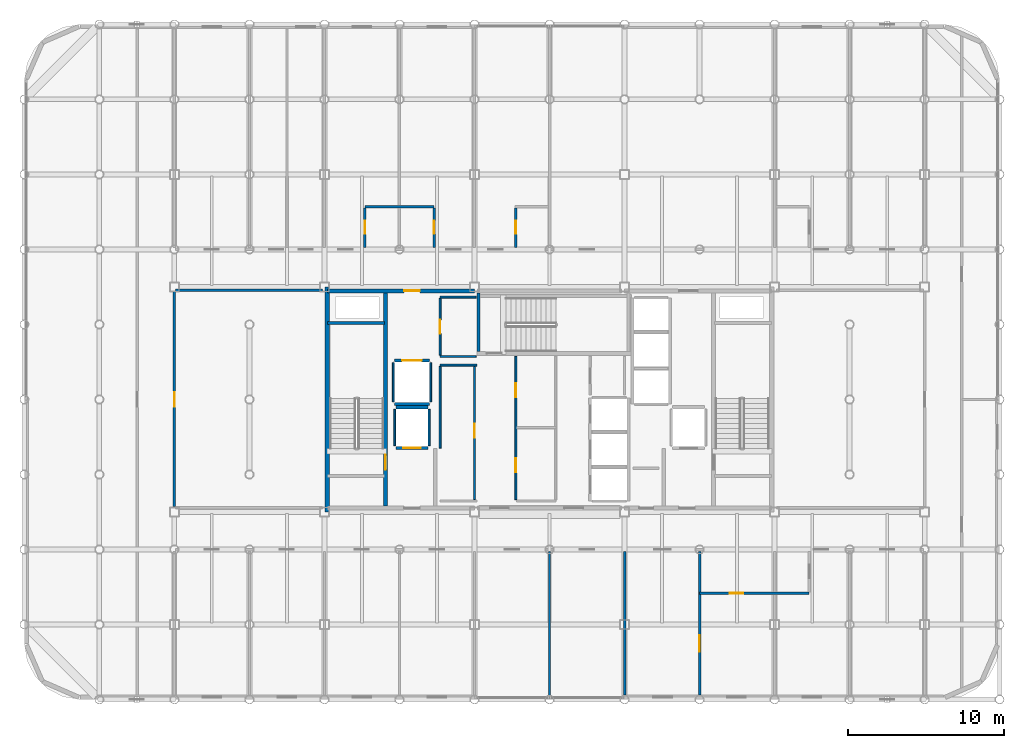
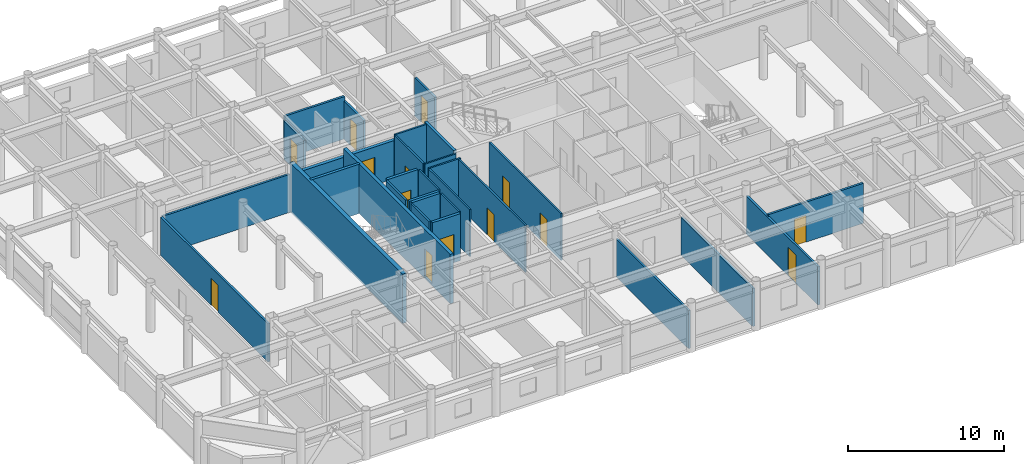
# One storey, part 18 of 22: 30 walls, 14 doors, 14 openings.
"""IFC4 building model written with IfcOpenShell, lengths in metres."""

from ifc_helpers import new_model, si_unit, direction, frame, frame_2d, origin, place, context, subcontext, project, spatial, rectangle, extrude, material, layer, layer_set, type_object, element, fill, save


model = new_model("IFC4")

# Units and contexts
model_context = context("Model", 3, precision=1e-05, world=origin(), true_north=direction((0.0, 1.0)))
body_context = subcontext(model_context, "Body", "Model", "MODEL_VIEW")
ifc_project = project(units=[si_unit("LENGTHUNIT", "METRE"), si_unit("AREAUNIT", "SQUARE_METRE"), si_unit("VOLUMEUNIT", "CUBIC_METRE"), si_unit("PLANEANGLEUNIT", "RADIAN"), si_unit("MASSUNIT", "GRAM", prefix="KILO")], contexts=[model_context])

# Site, building, storey
site_placement = place(None, origin())
site = spatial("IfcSite", under=ifc_project, at=site_placement, CompositionType="ELEMENT")
building_placement = place(site_placement, origin())
building = spatial("IfcBuilding", under=site, at=building_placement, Name="Kallvorn Hotel Tower", CompositionType="ELEMENT")
storey_placement = place(building_placement, frame((0.0, 0.0, 256.949951171875)))
storey = spatial("IfcBuildingStorey", under=building, at=storey_placement, Name="L64", CompositionType="ELEMENT", Elevation=256.949951171875)

# Wall
ifc_material_1 = material(Name="Concrete C50/60", Category="concrete")
ifc_layer_1 = layer(ifc_material_1, 0.300048828125)
ifc_layer_set_1 = layer_set([ifc_layer_1], Name="WL_CORE_300")
wall_type_1 = type_object("IfcWallType", Name="WL_CORE_300", PredefinedType="SHEAR", material=ifc_layer_set_1)
wall_1_placement = place(storey_placement, frame((-14.215087890625, -7.199951171875, -0.179931640625), z_axis=(0.0, 0.0, 1.0), x_axis=(0.0, 1.0, 0.0)))
element("IfcWall", 1, at=wall_1_placement, inside=storey, type_object=wall_type_1, Name="L64 Core West Shear Wall", PredefinedType="SHEAR", context=body_context, shape_type="SweptSolid", body=[
    extrude(rectangle(XDim=14.39990234375, YDim=0.300048828125, at=frame_2d((7.199951171875, 0.0))), origin(), (0.0, 0.0, 1.0), 3.85009765625),
])

# Wall, opening, door
ifc_material_2 = material(Name="Fire-rated double-layer acoustic gypsum drywall EI 60")
ifc_layer_2 = layer(ifc_material_2, 0.159912109375)
ifc_layer_set_2 = layer_set([ifc_layer_2], Name="WL_DEMISE_160")
wall_type_2 = type_object("IfcWallType", Name="WL_DEMISE_160", PredefinedType="PARTITIONING", material=ifc_layer_set_2)
wall_2_placement = place(storey_placement, frame((9.60009765625, -12.39501953125, 0.0), z_axis=(0.0, 0.0, 1.0), x_axis=(1.0, 0.0, 0.0)))
wall_2 = element("IfcWall", 2, at=wall_2_placement, inside=storey, type_object=wall_type_2, Name="L64 Suite 6401 Executive Bedroom Partition", PredefinedType="PARTITIONING", context=body_context, shape_type="SweptSolid", body=[
    extrude(rectangle(XDim=7.010009765625, YDim=0.159912109375, at=frame_2d((3.5048828125, 0.0))), origin(), (0.0, 0.0, 1.0), 3.1201171875),
])
opening_1_placement = place(wall_2_placement, frame((1.929931640625, 0.0, 0.0)))
opening_1 = element("IfcOpeningElement", 3, at=opening_1_placement, cuts=wall_2, Name="Opening BD-I", PredefinedType="OPENING", context=body_context, shape_type="SweptSolid", body=[
    extrude(rectangle(XDim=0.860107421875, YDim=2.10009765625, at=frame_2d((0.43017578125, 1.050048828125))), frame((0.0, 0.094970703125, 0.0), z_axis=(0.0, -1.0, 0.0), x_axis=(1.0, 0.0, 0.0)), (0.0, 0.0, 1.0), 0.18994140625),
])
ifc_material_3 = material(Name="Solid-core walnut veneer fire-rated timber door leaf", Category="wood")
door_type_1 = type_object("IfcDoorType", Name="DR_BATH_860x2100", OperationType="NOTDEFINED", PredefinedType="DOOR", material=ifc_material_3)
door_1_placement = place(opening_1_placement, origin())
door_1 = element("IfcDoor", 4, at=door_1_placement, inside=storey, type_object=door_type_1, Name="L64 Suite 6401 En-Suite Bathroom Door", OperationType="SINGLE_SWING_LEFT", OverallHeight=2.10009765625, OverallWidth=0.860107421875, PredefinedType="DOOR", context=body_context, shape_type="SweptSolid", body=[
    extrude(rectangle(XDim=0.860107421875, YDim=2.10009765625, at=frame_2d((0.43017578125, 1.050048828125))), frame((0.0, 0.02490234375, 0.0), z_axis=(0.0, -1.0, 0.0), x_axis=(1.0, 0.0, 0.0)), (0.0, 0.0, 1.0), 0.050048828125),
])
fill(opening_1, door_1)

# Wall
wall_3_placement = place(storey_placement, frame((-11.81005859375, 12.320068359375, 0.0), z_axis=(0.0, 0.0, 1.0), x_axis=(1.0, 0.0, 0.0)))
element("IfcWall", 5, at=wall_3_placement, inside=storey, type_object=wall_type_2, Name="L64 Suite 6403 Standard Twin Room Partition", PredefinedType="PARTITIONING", context=body_context, shape_type="SweptSolid", body=[
    extrude(rectangle(XDim=4.420166015625, YDim=0.159912109375, at=frame_2d((2.2099609375, 0.0))), origin(), (0.0, 0.0, 1.0), 3.31005859375),
])

# Wall, opening, door
wall_4_placement = place(storey_placement, frame((-11.81005859375, 9.719970703125, 0.0), z_axis=(0.0, 0.0, 1.0), x_axis=(0.0, 1.0, 0.0)))
wall_4 = element("IfcWall", 6, at=wall_4_placement, inside=storey, type_object=wall_type_2, Name="L64 Suite 6403 Standard Twin Room Partition", PredefinedType="PARTITIONING", context=body_context, shape_type="SweptSolid", body=[
    extrude(rectangle(XDim=2.51513671875, YDim=0.159912109375, at=frame_2d((1.257568359375, 0.0))), origin(), (0.0, 0.0, 1.0), 2.969970703125),
])
opening_2_placement = place(wall_4_placement, frame((0.8701171875, 0.0, 0.0)))
opening_2 = element("IfcOpeningElement", 7, at=opening_2_placement, cuts=wall_4, Name="Opening BD-I", PredefinedType="OPENING", context=body_context, shape_type="SweptSolid", body=[
    extrude(rectangle(XDim=0.860107421875, YDim=2.10009765625, at=frame_2d((0.43017578125, 1.050048828125))), frame((0.0, 0.094970703125, 0.0), z_axis=(0.0, -1.0, 0.0), x_axis=(1.0, 0.0, 0.0)), (0.0, 0.0, 1.0), 0.18994140625),
])
door_2_placement = place(opening_2_placement, origin())
door_2 = element("IfcDoor", 8, at=door_2_placement, inside=storey, type_object=door_type_1, Name="L64 Suite 6403 En-Suite Bathroom Door", OperationType="SINGLE_SWING_LEFT", OverallHeight=2.10009765625, OverallWidth=0.860107421875, PredefinedType="DOOR", context=body_context, shape_type="SweptSolid", body=[
    extrude(rectangle(XDim=0.860107421875, YDim=2.10009765625, at=frame_2d((0.43017578125, 1.050048828125))), frame((0.0, 0.02490234375, 0.0), z_axis=(0.0, -1.0, 0.0), x_axis=(1.0, 0.0, 0.0)), (0.0, 0.0, 1.0), 0.050048828125),
])
fill(opening_2, door_2)

wall_5_placement = place(storey_placement, frame((-7.389892578125, 9.719970703125, 0.0), z_axis=(0.0, 0.0, 1.0), x_axis=(0.0, 1.0, 0.0)))
wall_5 = element("IfcWall", 9, at=wall_5_placement, inside=storey, type_object=wall_type_2, Name="L64 Suite 6404 Standard Twin Room Partition", PredefinedType="PARTITIONING", context=body_context, shape_type="SweptSolid", body=[
    extrude(rectangle(XDim=2.51513671875, YDim=0.159912109375, at=frame_2d((1.257568359375, 0.0))), origin(), (0.0, 0.0, 1.0), 2.969970703125),
])
opening_3_placement = place(wall_5_placement, frame((0.8701171875, 0.0, 0.0)))
opening_3 = element("IfcOpeningElement", 10, at=opening_3_placement, cuts=wall_5, Name="Opening BD-I", PredefinedType="OPENING", context=body_context, shape_type="SweptSolid", body=[
    extrude(rectangle(XDim=0.860107421875, YDim=2.10009765625, at=frame_2d((0.43017578125, 1.050048828125))), frame((0.0, 0.094970703125, 0.0), z_axis=(0.0, -1.0, 0.0), x_axis=(1.0, 0.0, 0.0)), (0.0, 0.0, 1.0), 0.18994140625),
])
door_3_placement = place(opening_3_placement, origin())
door_3 = element("IfcDoor", 11, at=door_3_placement, inside=storey, type_object=door_type_1, Name="L64 Suite 6404 En-Suite Bathroom Door", OperationType="SINGLE_SWING_RIGHT", OverallHeight=2.10009765625, OverallWidth=0.860107421875, PredefinedType="DOOR", context=body_context, shape_type="SweptSolid", body=[
    extrude(rectangle(XDim=0.860107421875, YDim=2.10009765625, at=frame_2d((0.43017578125, 1.050048828125))), frame((0.0, 0.02490234375, 0.0), z_axis=(0.0, -1.0, 0.0), x_axis=(1.0, 0.0, 0.0)), (0.0, 0.0, 1.0), 0.050048828125),
])
fill(opening_3, door_3)

wall_6_placement = place(storey_placement, frame((-2.155029296875, 9.719970703125, 0.0), z_axis=(0.0, 0.0, 1.0), x_axis=(0.0, 1.0, 0.0)))
wall_6 = element("IfcWall", 12, at=wall_6_placement, inside=storey, type_object=wall_type_2, Name="L64 Suite 6405 Standard Twin Room Partition", PredefinedType="PARTITIONING", context=body_context, shape_type="SweptSolid", body=[
    extrude(rectangle(XDim=2.51513671875, YDim=0.159912109375, at=frame_2d((1.257568359375, 0.0))), origin(), (0.0, 0.0, 1.0), 2.969970703125),
])
opening_4_placement = place(wall_6_placement, frame((0.8701171875, 0.0, 0.0)))
opening_4 = element("IfcOpeningElement", 13, at=opening_4_placement, cuts=wall_6, Name="Opening BD-I", PredefinedType="OPENING", context=body_context, shape_type="SweptSolid", body=[
    extrude(rectangle(XDim=0.860107421875, YDim=2.10009765625, at=frame_2d((0.43017578125, 1.050048828125))), frame((0.0, 0.094970703125, 0.0), z_axis=(0.0, -1.0, 0.0), x_axis=(1.0, 0.0, 0.0)), (0.0, 0.0, 1.0), 0.18994140625),
])
door_4_placement = place(opening_4_placement, origin())
door_4 = element("IfcDoor", 14, at=door_4_placement, inside=storey, type_object=door_type_1, Name="L64 Suite 6405 En-Suite Bathroom Door", OperationType="SINGLE_SWING_RIGHT", OverallHeight=2.10009765625, OverallWidth=0.860107421875, PredefinedType="DOOR", context=body_context, shape_type="SweptSolid", body=[
    extrude(rectangle(XDim=0.860107421875, YDim=2.10009765625, at=frame_2d((0.43017578125, 1.050048828125))), frame((0.0, 0.02490234375, 0.0), z_axis=(0.0, -1.0, 0.0), x_axis=(1.0, 0.0, 0.0)), (0.0, 0.0, 1.0), 0.050048828125),
])
fill(opening_4, door_4)

# Wall
wall_7_placement = place(storey_placement, frame((4.800048828125, -18.909912109375, 0.0), z_axis=(0.0, 0.0, 1.0), x_axis=(0.0, 1.0, 0.0)))
element("IfcWall", 15, at=wall_7_placement, inside=storey, type_object=wall_type_2, Name="L64 Suite 6401 Executive Living Salon Partition", PredefinedType="PARTITIONING", context=body_context, shape_type="SweptSolid", body=[
    extrude(rectangle(XDim=9.18994140625, YDim=0.159912109375, at=frame_2d((4.594970703125, 0.0))), origin(), (0.0, 0.0, 1.0), 2.969970703125),
])

# Wall, opening, door
wall_8_placement = place(storey_placement, frame((9.60009765625, -18.909912109375, 0.0), z_axis=(0.0, 0.0, 1.0), x_axis=(0.0, 1.0, 0.0)))
wall_8 = element("IfcWall", 16, at=wall_8_placement, inside=storey, type_object=wall_type_2, Name="L64 Suite 6401 Executive Bedroom Partition", PredefinedType="PARTITIONING", context=body_context, shape_type="SweptSolid", body=[
    extrude(rectangle(XDim=9.18994140625, YDim=0.159912109375, at=frame_2d((4.594970703125, 0.0))), origin(), (0.0, 0.0, 1.0), 2.969970703125),
])
opening_5_placement = place(wall_8_placement, frame((2.77490234375, 0.0, 0.0)))
opening_5 = element("IfcOpeningElement", 17, at=opening_5_placement, cuts=wall_8, Name="Opening GD2", PredefinedType="OPENING", context=body_context, shape_type="SweptSolid", body=[
    extrude(rectangle(XDim=1.050048828125, YDim=2.199951171875, at=frame_2d((0.52490234375, 1.10009765625))), frame((0.0, 0.094970703125, 0.0), z_axis=(0.0, -1.0, 0.0), x_axis=(1.0, 0.0, 0.0)), (0.0, 0.0, 1.0), 0.18994140625),
])
ifc_material_4 = material(Name="Solid-core walnut veneer fire-rated timber door leaf", Category="wood")
door_type_2 = type_object("IfcDoorType", Name="DR_SUITE_1050x2200", OperationType="NOTDEFINED", PredefinedType="DOOR", material=ifc_material_4)
door_5_placement = place(opening_5_placement, origin())
door_5 = element("IfcDoor", 18, at=door_5_placement, inside=storey, type_object=door_type_2, Name="L64 Suite 6401 Executive Bedroom Door", OperationType="SINGLE_SWING_LEFT", OverallHeight=2.199951171875, OverallWidth=1.050048828125, PredefinedType="DOOR", context=body_context, shape_type="SweptSolid", body=[
    extrude(rectangle(XDim=1.050048828125, YDim=2.199951171875, at=frame_2d((0.52490234375, 1.10009765625))), frame((0.0, 0.02490234375, 0.0), z_axis=(0.0, -1.0, 0.0), x_axis=(1.0, 0.0, 0.0)), (0.0, 0.0, 1.0), 0.050048828125),
])
fill(opening_5, door_5)

# Walls
ifc_material_5 = material(Name="Concrete C40/50", Category="concrete")
ifc_layer_3 = layer(ifc_material_5, 0.199951171875)
ifc_layer_set_3 = layer_set([ifc_layer_3], Name="WL_HOIST_200")
wall_type_3 = type_object("IfcWallType", Name="WL_HOIST_200", PredefinedType="SOLIDWALL", material=ifc_layer_set_3)
wall_9_placement = place(storey_placement, frame((-14.199951171875, 4.89990234375, -0.179931640625), z_axis=(0.0, 0.0, 1.0), x_axis=(1.0, 0.0, 0.0)))
element("IfcWall", 19, at=wall_9_placement, inside=storey, type_object=wall_type_3, Name="L64 Stair ST1 North Wall", PredefinedType="SOLIDWALL", context=body_context, shape_type="SweptSolid", body=[
    extrude(rectangle(XDim=3.64990234375, YDim=0.199951171875, at=frame_2d((1.824951171875, 0.0))), origin(), (0.0, 0.0, 1.0), 3.85009765625),
])
wall_10_placement = place(storey_placement, frame((-4.550048828125, 3.080078125, -0.179931640625), z_axis=(0.0, 0.0, 1.0), x_axis=(0.0, 1.0, 0.0)))
element("IfcWall", 20, at=wall_10_placement, inside=storey, type_object=wall_type_3, Name="L64 Stair ST3 West Wall", PredefinedType="SOLIDWALL", context=body_context, shape_type="SweptSolid", body=[
    extrude(rectangle(XDim=3.739990234375, YDim=0.199951171875, at=frame_2d((1.8701171875, 0.0))), origin(), (0.0, 0.0, 1.0), 3.85009765625),
])

# Wall, opening, door
wall_11_placement = place(storey_placement, frame((-9.820068359375, -3.10009765625, 0.0), z_axis=(0.0, 0.0, 1.0), x_axis=(1.0, 0.0, 0.0)))
wall_11 = element("IfcWall", 21, at=wall_11_placement, inside=storey, type_object=wall_type_3, Name="L64 FL-1 Landing Wall", PredefinedType="SOLIDWALL", context=body_context, shape_type="SweptSolid", body=[
    extrude(rectangle(XDim=2.0400390625, YDim=0.199951171875, at=frame_2d((1.02001953125, 0.0))), origin(), (0.0, 0.0, 1.0), 3.670166015625),
])
opening_6_placement = place(wall_11_placement, frame((0.469970703125, 0.0, 0.0)))
opening_6 = element("IfcOpeningElement", 22, at=opening_6_placement, cuts=wall_11, Name="Opening LD-FL-1", PredefinedType="OPENING", context=body_context, shape_type="SweptSolid", body=[
    extrude(rectangle(XDim=1.10009765625, YDim=2.199951171875, at=frame_2d((0.550048828125, 1.10009765625))), frame((0.0, 0.114990234375, 0.0), z_axis=(0.0, -1.0, 0.0), x_axis=(1.0, 0.0, 0.0)), (0.0, 0.0, 1.0), 0.22998046875),
])
ifc_material_6 = material(Name="Brushed stainless-steel automatic sliding lift landing door", Category="steel")
door_type_3 = type_object("IfcDoorType", Name="LD_PASS_1100x2200", OperationType="SLIDING_TO_LEFT", PredefinedType="DOOR", material=ifc_material_6)
door_6_placement = place(opening_6_placement, origin())
door_6 = element("IfcDoor", 23, at=door_6_placement, inside=storey, type_object=door_type_3, Name="L64 Lift Landing Sliding Door LD-FL-1", OperationType="SLIDING_TO_LEFT", OverallHeight=2.199951171875, OverallWidth=1.10009765625, PredefinedType="DOOR", context=body_context, shape_type="SweptSolid", body=[
    extrude(rectangle(XDim=1.10009765625, YDim=2.199951171875, at=frame_2d((0.550048828125, 1.10009765625))), frame((0.0, 0.02490234375, 0.0), z_axis=(0.0, -1.0, 0.0), x_axis=(1.0, 0.0, 0.0)), (0.0, 0.0, 1.0), 0.050048828125),
])
fill(opening_6, door_6)

# Wall
wall_12_placement = place(storey_placement, frame((-9.820068359375, -0.5, 0.0), z_axis=(0.0, 0.0, 1.0), x_axis=(1.0, 0.0, 0.0)))
element("IfcWall", 24, at=wall_12_placement, inside=storey, type_object=wall_type_3, Name="L64 FL-1 Rear Shaft Wall", PredefinedType="SOLIDWALL", context=body_context, shape_type="SweptSolid", body=[
    extrude(rectangle(XDim=2.0400390625, YDim=0.199951171875, at=frame_2d((1.02001953125, 0.0))), origin(), (0.0, 0.0, 1.0), 3.670166015625),
])

# Wall, opening, door
wall_13_placement = place(storey_placement, frame((-9.919921875, 2.5, 0.0), z_axis=(0.0, 0.0, 1.0), x_axis=(1.0, 0.0, 0.0)))
wall_13 = element("IfcWall", 25, at=wall_13_placement, inside=storey, type_object=wall_type_3, Name="L64 SV-01 Landing Wall", PredefinedType="SOLIDWALL", context=body_context, shape_type="SweptSolid", body=[
    extrude(rectangle(XDim=2.239990234375, YDim=0.199951171875, at=frame_2d((1.1201171875, 0.0))), origin(), (0.0, 0.0, 1.0), 3.670166015625),
])
opening_7_placement = place(wall_13_placement, frame((0.4951171875, 0.0, 0.0)))
opening_7 = element("IfcOpeningElement", 26, at=opening_7_placement, cuts=wall_13, Name="Opening LD-SV-01", PredefinedType="OPENING", context=body_context, shape_type="SweptSolid", body=[
    extrude(rectangle(XDim=1.25, YDim=2.25, at=frame_2d((0.625, 1.125))), frame((0.0, 0.114990234375, 0.0), z_axis=(0.0, -1.0, 0.0), x_axis=(1.0, 0.0, 0.0)), (0.0, 0.0, 1.0), 0.22998046875),
])
ifc_material_7 = material(Name="Brushed stainless-steel automatic sliding lift landing door", Category="steel")
door_type_4 = type_object("IfcDoorType", Name="LD_SERV_1250x2250", OperationType="SLIDING_TO_LEFT", PredefinedType="DOOR", material=ifc_material_7)
door_7_placement = place(opening_7_placement, origin())
door_7 = element("IfcDoor", 27, at=door_7_placement, inside=storey, type_object=door_type_4, Name="L64 Lift Landing Sliding Door LD-SV-01", OperationType="SLIDING_TO_LEFT", OverallHeight=2.25, OverallWidth=1.25, PredefinedType="DOOR", context=body_context, shape_type="SweptSolid", body=[
    extrude(rectangle(XDim=1.25, YDim=2.25, at=frame_2d((0.625, 1.125))), frame((0.0, 0.02490234375, 0.0), z_axis=(0.0, -1.0, 0.0), x_axis=(1.0, 0.0, 0.0)), (0.0, 0.0, 1.0), 0.050048828125),
])
fill(opening_7, door_7)

# Walls
wall_14_placement = place(storey_placement, frame((-9.919921875, -0.300048828125, 0.0), z_axis=(0.0, 0.0, 1.0), x_axis=(1.0, 0.0, 0.0)))
element("IfcWall", 28, at=wall_14_placement, inside=storey, type_object=wall_type_3, Name="L64 SV-01 Rear Shaft Wall", PredefinedType="SOLIDWALL", context=body_context, shape_type="SweptSolid", body=[
    extrude(rectangle(XDim=2.239990234375, YDim=0.199951171875, at=frame_2d((1.1201171875, 0.0))), origin(), (0.0, 0.0, 1.0), 3.670166015625),
])
ifc_material_8 = material(Name="Fire-rated double-layer acoustic gypsum drywall EI 60")
ifc_layer_4 = layer(ifc_material_8, 0.1201171875)
ifc_layer_set_4 = layer_set([ifc_layer_4], Name="WL_INT_120")
wall_type_4 = type_object("IfcWallType", Name="WL_INT_120", PredefinedType="PARTITIONING", material=ifc_layer_set_4)
for number, where, z_axis, x_axis, name in (
    (29, (-9.89990234375, -2.9599609375, 0.0), (0.0, 0.0, 1.0), (0.0, 1.0, 0.0), "L64 FL-1 West Shaft Wall"),
    (30, (-7.699951171875, -2.9599609375, 0.0), (0.0, 0.0, 1.0), (0.0, 1.0, 0.0), "L64 FL-1 East Shaft Wall"),
):
    element("IfcWall", number, at=place(storey_placement, frame(where, z_axis=z_axis, x_axis=x_axis)), inside=storey, type_object=wall_type_4, Name=name, PredefinedType="PARTITIONING", context=body_context, shape_type="SweptSolid", body=[
        extrude(rectangle(XDim=2.320068359375, YDim=0.1201171875, at=frame_2d((1.16015625, 0.0))), origin(), (0.0, 0.0, 1.0), 3.670166015625),
    ])
for number, where, z_axis, x_axis, name in (
    (31, (-10.0, -0.159912109375, 0.0), (0.0, 0.0, 1.0), (0.0, 1.0, 0.0), "L64 SV-01 West Shaft Wall"),
    (32, (-7.60009765625, -0.159912109375, 0.0), (0.0, 0.0, 1.0), (0.0, 1.0, 0.0), "L64 SV-01 East Shaft Wall"),
):
    element("IfcWall", number, at=place(storey_placement, frame(where, z_axis=z_axis, x_axis=x_axis)), inside=storey, type_object=wall_type_4, Name=name, PredefinedType="PARTITIONING", context=body_context, shape_type="SweptSolid", body=[
        extrude(rectangle(XDim=2.52001953125, YDim=0.1201171875, at=frame_2d((1.260009765625, 0.0))), origin(), (0.0, 0.0, 1.0), 3.670166015625),
    ])
wall_15_placement = place(storey_placement, frame((-7.0, 2.199951171875, 0.0), z_axis=(0.0, 0.0, 1.0), x_axis=(1.0, 0.0, 0.0)))
element("IfcWall", 33, at=wall_15_placement, inside=storey, type_object=wall_type_4, Name="L64 Recaptured Butler and Room-Service Pantry Partition", PredefinedType="PARTITIONING", context=body_context, shape_type="SweptSolid", body=[
    extrude(rectangle(XDim=2.35009765625, YDim=0.1201171875, at=frame_2d((1.175048828125, 0.0))), origin(), (0.0, 0.0, 1.0), 3.670166015625),
])
for number, where, z_axis, x_axis, name in (
    (34, (-7.0, 2.75, 0.0), (0.0, 0.0, 1.0), (1.0, 0.0, 0.0), "L64 Recaptured Valet and Linen Reserve Store Partition"),
    (35, (-7.0, 6.550048828125, 0.0), (0.0, 0.0, 1.0), (1.0, 0.0, 0.0), "L64 Recaptured Valet and Linen Reserve Store Partition"),
):
    element("IfcWall", number, at=place(storey_placement, frame(where, z_axis=z_axis, x_axis=x_axis)), inside=storey, type_object=wall_type_4, Name=name, PredefinedType="PARTITIONING", context=body_context, shape_type="SweptSolid", body=[
        extrude(rectangle(XDim=2.31005859375, YDim=0.1201171875, at=frame_2d((1.155029296875, 0.0))), origin(), (0.0, 0.0, 1.0), 3.670166015625),
    ])
wall_16_placement = place(storey_placement, frame((-7.0, -3.110107421875, 0.0), z_axis=(0.0, 0.0, 1.0), x_axis=(0.0, 1.0, 0.0)))
element("IfcWall", 36, at=wall_16_placement, inside=storey, type_object=wall_type_4, Name="L64 Recaptured Butler and Room-Service Pantry Partition", PredefinedType="PARTITIONING", context=body_context, shape_type="SweptSolid", body=[
    extrude(rectangle(XDim=5.22509765625, YDim=0.1201171875, at=frame_2d((2.612548828125, 0.0))), origin(), (0.0, 0.0, 1.0), 3.670166015625),
])

# Wall, opening, door
wall_17_placement = place(storey_placement, frame((-7.0, 2.8349609375, 0.0), z_axis=(0.0, 0.0, 1.0), x_axis=(0.0, 1.0, 0.0)))
wall_17 = element("IfcWall", 37, at=wall_17_placement, inside=storey, type_object=wall_type_4, Name="L64 Recaptured Valet and Linen Reserve Store Partition", PredefinedType="PARTITIONING", context=body_context, shape_type="SweptSolid", body=[
    extrude(rectangle(XDim=3.630126953125, YDim=0.1201171875, at=frame_2d((1.81494140625, 0.0))), origin(), (0.0, 0.0, 1.0), 3.670166015625),
])
opening_8_placement = place(wall_17_placement, frame((1.364990234375, 0.0, 0.0)))
opening_8 = element("IfcOpeningElement", 38, at=opening_8_placement, cuts=wall_17, Name="Opening SVD1", PredefinedType="OPENING", context=body_context, shape_type="SweptSolid", body=[
    extrude(rectangle(XDim=0.89990234375, YDim=2.10009765625, at=frame_2d((0.449951171875, 1.050048828125))), frame((0.0, 0.074951171875, 0.0), z_axis=(0.0, -1.0, 0.0), x_axis=(1.0, 0.0, 0.0)), (0.0, 0.0, 1.0), 0.150146484375),
])
ifc_material_9 = material(Name="Galvanised painted steel fire-rated door assembly", Category="steel")
door_type_5 = type_object("IfcDoorType", Name="DR_SERV_900x2100", OperationType="NOTDEFINED", PredefinedType="DOOR", material=ifc_material_9)
door_8_placement = place(opening_8_placement, origin())
door_8 = element("IfcDoor", 39, at=door_8_placement, inside=storey, type_object=door_type_5, Name="L64 Recaptured Valet and Linen Reserve Store Door", OperationType="SINGLE_SWING_LEFT", OverallHeight=2.10009765625, OverallWidth=0.89990234375, PredefinedType="DOOR", context=body_context, shape_type="SweptSolid", body=[
    extrude(rectangle(XDim=0.89990234375, YDim=2.10009765625, at=frame_2d((0.449951171875, 1.050048828125))), frame((0.0, 0.02490234375, 0.0), z_axis=(0.0, -1.0, 0.0), x_axis=(1.0, 0.0, 0.0)), (0.0, 0.0, 1.0), 0.050048828125),
])
fill(opening_8, door_8)

wall_18_placement = place(storey_placement, frame((-4.800048828125, -6.4150390625, 0.0), z_axis=(0.0, 0.0, 1.0), x_axis=(0.0, 1.0, 0.0)))
wall_18 = element("IfcWall", 40, at=wall_18_placement, inside=storey, type_object=wall_type_4, Name="L64 Recaptured Butler and Room-Service Pantry Partition", PredefinedType="PARTITIONING", context=body_context, shape_type="SweptSolid", body=[
    extrude(rectangle(XDim=8.530029296875, YDim=0.1201171875, at=frame_2d((4.26513671875, 0.0))), origin(), (0.0, 0.0, 1.0), 3.670166015625),
])
opening_9_placement = place(wall_18_placement, frame((3.965087890625, 0.0, 0.0)))
opening_9 = element("IfcOpeningElement", 41, at=opening_9_placement, cuts=wall_18, Name="Opening SVD1", PredefinedType="OPENING", context=body_context, shape_type="SweptSolid", body=[
    extrude(rectangle(XDim=0.89990234375, YDim=2.10009765625, at=frame_2d((0.449951171875, 1.050048828125))), frame((0.0, 0.074951171875, 0.0), z_axis=(0.0, -1.0, 0.0), x_axis=(1.0, 0.0, 0.0)), (0.0, 0.0, 1.0), 0.150146484375),
])
door_9_placement = place(opening_9_placement, origin())
door_9 = element("IfcDoor", 42, at=door_9_placement, inside=storey, type_object=door_type_5, Name="L64 Recaptured Butler and Room-Service Pantry Door", OperationType="SINGLE_SWING_RIGHT", OverallHeight=2.10009765625, OverallWidth=0.89990234375, PredefinedType="DOOR", context=body_context, shape_type="SweptSolid", body=[
    extrude(rectangle(XDim=0.89990234375, YDim=2.10009765625, at=frame_2d((0.449951171875, 1.050048828125))), frame((0.0, 0.02490234375, 0.0), z_axis=(0.0, -1.0, 0.0), x_axis=(1.0, 0.0, 0.0)), (0.0, 0.0, 1.0), 0.050048828125),
])
fill(opening_9, door_9)

# Wall, openings, doors
wall_19_placement = place(storey_placement, frame((-2.155029296875, -6.4150390625, 0.0), z_axis=(0.0, 0.0, 1.0), x_axis=(0.0, 1.0, 0.0)))
wall_19 = element("IfcWall", 43, at=wall_19_placement, inside=storey, type_object=wall_type_4, Name="L64 High-Zone Sommelier and Beverage Pantry Partition", PredefinedType="PARTITIONING", context=body_context, shape_type="SweptSolid", body=[
    extrude(rectangle(XDim=9.1650390625, YDim=0.1201171875, at=frame_2d((4.58251953125, 0.0))), origin(), (0.0, 0.0, 1.0), 3.670166015625),
])
opening_10_placement = place(wall_19_placement, frame((1.764892578125, 0.0, 0.0)))
opening_10 = element("IfcOpeningElement", 44, at=opening_10_placement, cuts=wall_19, Name="Opening SVD1", PredefinedType="OPENING", context=body_context, shape_type="SweptSolid", body=[
    extrude(rectangle(XDim=0.89990234375, YDim=2.10009765625, at=frame_2d((0.449951171875, 1.050048828125))), frame((0.0, 0.074951171875, 0.0), z_axis=(0.0, -1.0, 0.0), x_axis=(1.0, 0.0, 0.0)), (0.0, 0.0, 1.0), 0.150146484375),
])
opening_11_placement = place(wall_19_placement, frame((6.56494140625, 0.0, 0.0)))
opening_11 = element("IfcOpeningElement", 45, at=opening_11_placement, cuts=wall_19, Name="Opening SVD1", PredefinedType="OPENING", context=body_context, shape_type="SweptSolid", body=[
    extrude(rectangle(XDim=0.89990234375, YDim=2.10009765625, at=frame_2d((0.449951171875, 1.050048828125))), frame((0.0, 0.074951171875, 0.0), z_axis=(0.0, -1.0, 0.0), x_axis=(1.0, 0.0, 0.0)), (0.0, 0.0, 1.0), 0.150146484375),
])
door_10_placement = place(opening_10_placement, origin())
door_10 = element("IfcDoor", 46, at=door_10_placement, inside=storey, type_object=door_type_5, Name="L64 High-Zone Sommelier and Beverage Pantry Door", OperationType="SINGLE_SWING_RIGHT", OverallHeight=2.10009765625, OverallWidth=0.89990234375, PredefinedType="DOOR", context=body_context, shape_type="SweptSolid", body=[
    extrude(rectangle(XDim=0.89990234375, YDim=2.10009765625, at=frame_2d((0.449951171875, 1.050048828125))), frame((0.0, 0.02490234375, 0.0), z_axis=(0.0, -1.0, 0.0), x_axis=(1.0, 0.0, 0.0)), (0.0, 0.0, 1.0), 0.050048828125),
])
fill(opening_10, door_10)
door_11_placement = place(opening_11_placement, origin())
door_11 = element("IfcDoor", 47, at=door_11_placement, inside=storey, type_object=door_type_5, Name="L64 High-Zone Housekeeping Reserve Store Door", OperationType="SINGLE_SWING_LEFT", OverallHeight=2.10009765625, OverallWidth=0.89990234375, PredefinedType="DOOR", context=body_context, shape_type="SweptSolid", body=[
    extrude(rectangle(XDim=0.89990234375, YDim=2.10009765625, at=frame_2d((0.449951171875, 1.050048828125))), frame((0.0, 0.02490234375, 0.0), z_axis=(0.0, -1.0, 0.0), x_axis=(1.0, 0.0, 0.0)), (0.0, 0.0, 1.0), 0.050048828125),
])
fill(opening_11, door_11)

# Wall
ifc_material_10 = material(Name="Fire-rated double-layer acoustic gypsum drywall EI 60")
ifc_layer_5 = layer(ifc_material_10, 0.14990234375)
ifc_layer_set_5 = layer_set([ifc_layer_5], Name="WL_PART_150")
wall_type_5 = type_object("IfcWallType", Name="WL_PART_150", PredefinedType="PARTITIONING", material=ifc_layer_set_5)
wall_20_placement = place(storey_placement, frame((-23.919921875, 6.97998046875, 0.0), z_axis=(0.0, 0.0, 1.0), x_axis=(1.0, 0.0, 0.0)))
element("IfcWall", 48, at=wall_20_placement, inside=storey, type_object=wall_type_5, Name="L64 L64 High-Zone Inner West Club Bar Partition", PredefinedType="PARTITIONING", context=body_context, shape_type="SweptSolid", body=[
    extrude(rectangle(XDim=9.39990234375, YDim=0.14990234375, at=frame_2d((4.699951171875, 0.0))), origin(), (0.0, 0.0, 1.0), 2.969970703125),
])

# Wall, opening, door
wall_21_placement = place(storey_placement, frame((-24.0, -6.8349609375, 0.0), z_axis=(0.0, 0.0, 1.0), x_axis=(0.0, 1.0, 0.0)))
wall_21 = element("IfcWall", 49, at=wall_21_placement, inside=storey, type_object=wall_type_5, Name="L64 L64 High-Zone Inner West Club Bar Partition", PredefinedType="PARTITIONING", context=body_context, shape_type="SweptSolid", body=[
    extrude(rectangle(XDim=13.72998046875, YDim=0.14990234375, at=frame_2d((6.864990234375, 0.0))), origin(), (0.0, 0.0, 1.0), 2.969970703125),
])
opening_12_placement = place(wall_21_placement, frame((6.385009765625, 0.0, 0.0)))
opening_12 = element("IfcOpeningElement", 50, at=opening_12_placement, cuts=wall_21, Name="Opening SVD1", PredefinedType="OPENING", context=body_context, shape_type="SweptSolid", body=[
    extrude(rectangle(XDim=0.89990234375, YDim=2.10009765625, at=frame_2d((0.449951171875, 1.050048828125))), frame((0.0, 0.08984375, 0.0), z_axis=(0.0, -1.0, 0.0), x_axis=(1.0, 0.0, 0.0)), (0.0, 0.0, 1.0), 0.179931640625),
])
door_12_placement = place(opening_12_placement, origin())
door_12 = element("IfcDoor", 51, at=door_12_placement, inside=storey, type_object=door_type_5, Name="L64 L64 High-Zone Inner West Club Bar Door", OperationType="SINGLE_SWING_RIGHT", OverallHeight=2.10009765625, OverallWidth=0.89990234375, PredefinedType="DOOR", context=body_context, shape_type="SweptSolid", body=[
    extrude(rectangle(XDim=0.89990234375, YDim=2.10009765625, at=frame_2d((0.449951171875, 1.050048828125))), frame((0.0, 0.02490234375, 0.0), z_axis=(0.0, -1.0, 0.0), x_axis=(1.0, 0.0, 0.0)), (0.0, 0.0, 1.0), 0.050048828125),
])
fill(opening_12, door_12)

# Wall
wall_22_placement = place(storey_placement, frame((0.0, -18.9951171875, 0.0), z_axis=(0.0, 0.0, 1.0), x_axis=(0.0, 1.0, 0.0)))
element("IfcWall", 52, at=wall_22_placement, inside=storey, type_object=wall_type_5, Name="L64 L64 Diplomatic Summit Conference Boardroom 2-1 Partition", PredefinedType="PARTITIONING", context=body_context, shape_type="SweptSolid", body=[
    extrude(rectangle(XDim=9.275146484375, YDim=0.14990234375, at=frame_2d((4.6376953125, 0.0))), origin(), (0.0, 0.0, 1.0), 2.969970703125),
])

# Wall, opening, door
ifc_material_11 = material(Name="Concrete C40/50", Category="concrete")
ifc_layer_6 = layer(ifc_material_11, 0.25)
ifc_layer_set_6 = layer_set([ifc_layer_6], Name="WL_SHAFT_250")
wall_type_6 = type_object("IfcWallType", Name="WL_SHAFT_250", PredefinedType="SOLIDWALL", material=ifc_layer_set_6)
wall_23_placement = place(storey_placement, frame((-14.199951171875, 6.949951171875, 0.0), z_axis=(0.0, 0.0, 1.0), x_axis=(1.0, 0.0, 0.0)))
wall_23 = element("IfcWall", 53, at=wall_23_placement, inside=storey, type_object=wall_type_6, Name="L64 Core North-West Wall", PredefinedType="SOLIDWALL", context=body_context, shape_type="SweptSolid", body=[
    extrude(rectangle(XDim=9.39990234375, YDim=0.25, at=frame_2d((4.699951171875, 0.0))), origin(), (0.0, 0.0, 1.0), 2.969970703125),
])
opening_13_placement = place(wall_23_placement, frame((4.89990234375, 0.0, 0.0)))
opening_13 = element("IfcOpeningElement", 54, at=opening_13_placement, cuts=wall_23, Name="Opening FD1", PredefinedType="OPENING", context=body_context, shape_type="SweptSolid", body=[
    extrude(rectangle(XDim=1.0, YDim=2.14990234375, at=frame_2d((0.5, 1.074951171875))), frame((0.0, 0.139892578125, 0.0), z_axis=(0.0, -1.0, 0.0), x_axis=(1.0, 0.0, 0.0)), (0.0, 0.0, 1.0), 0.280029296875),
])
ifc_material_12 = material(Name="Galvanised painted steel fire-rated door assembly", Category="steel")
door_type_6 = type_object("IfcDoorType", Name="DR_FFL_1000x2150", OperationType="NOTDEFINED", PredefinedType="DOOR", material=ifc_material_12)
door_13_placement = place(opening_13_placement, origin())
door_13 = element("IfcDoor", 55, at=door_13_placement, inside=storey, type_object=door_type_6, Name="L64 Service Lift Lobby Door", OperationType="SINGLE_SWING_LEFT", OverallHeight=2.14990234375, OverallWidth=1.0, PredefinedType="DOOR", context=body_context, shape_type="SweptSolid", body=[
    extrude(rectangle(XDim=1.0, YDim=2.14990234375, at=frame_2d((0.5, 1.074951171875))), frame((0.0, 0.02490234375, 0.0), z_axis=(0.0, -1.0, 0.0), x_axis=(1.0, 0.0, 0.0)), (0.0, 0.0, 1.0), 0.050048828125),
])
fill(opening_13, door_13)

wall_24_placement = place(storey_placement, frame((-10.5, -6.820068359375, -0.179931640625), z_axis=(0.0, 0.0, 1.0), x_axis=(0.0, 1.0, 0.0)))
wall_24 = element("IfcWall", 56, at=wall_24_placement, inside=storey, type_object=wall_type_6, Name="L64 Stair ST1 Shaft Wall", PredefinedType="SOLIDWALL", context=body_context, shape_type="SweptSolid", body=[
    extrude(rectangle(XDim=13.64013671875, YDim=0.25, at=frame_2d((6.820068359375, 0.0))), origin(), (0.0, 0.0, 1.0), 3.85009765625),
])
opening_14_placement = place(wall_24_placement, frame((2.320068359375, 0.0, 0.179931640625)))
opening_14 = element("IfcOpeningElement", 57, at=opening_14_placement, cuts=wall_24, Name="Opening SD1", PredefinedType="OPENING", context=body_context, shape_type="SweptSolid", body=[
    extrude(rectangle(XDim=0.949951171875, YDim=2.14990234375, at=frame_2d((0.47509765625, 1.074951171875))), frame((0.0, 0.139892578125, 0.0), z_axis=(0.0, -1.0, 0.0), x_axis=(1.0, 0.0, 0.0)), (0.0, 0.0, 1.0), 0.280029296875),
])
ifc_material_13 = material(Name="Galvanised painted steel fire-rated door assembly", Category="steel")
door_type_7 = type_object("IfcDoorType", Name="DR_STAIR_950x2150", OperationType="NOTDEFINED", PredefinedType="DOOR", material=ifc_material_13)
door_14_placement = place(opening_14_placement, origin())
door_14 = element("IfcDoor", 58, at=door_14_placement, inside=storey, type_object=door_type_7, Name="L64 Exit Stair ST1 Fire Door", OperationType="SINGLE_SWING_LEFT", OverallHeight=2.14990234375, OverallWidth=0.949951171875, PredefinedType="DOOR", context=body_context, shape_type="SweptSolid", body=[
    extrude(rectangle(XDim=0.949951171875, YDim=2.14990234375, at=frame_2d((0.47509765625, 1.074951171875))), frame((0.0, 0.02490234375, 0.0), z_axis=(0.0, -1.0, 0.0), x_axis=(1.0, 0.0, 0.0)), (0.0, 0.0, 1.0), 0.050048828125),
])
fill(opening_14, door_14)

save(model, "model.ifc")
